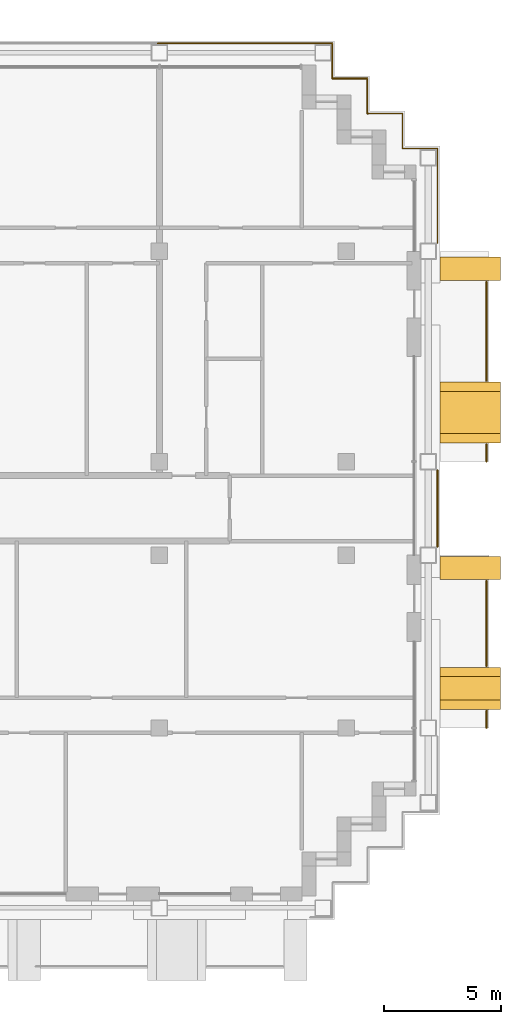
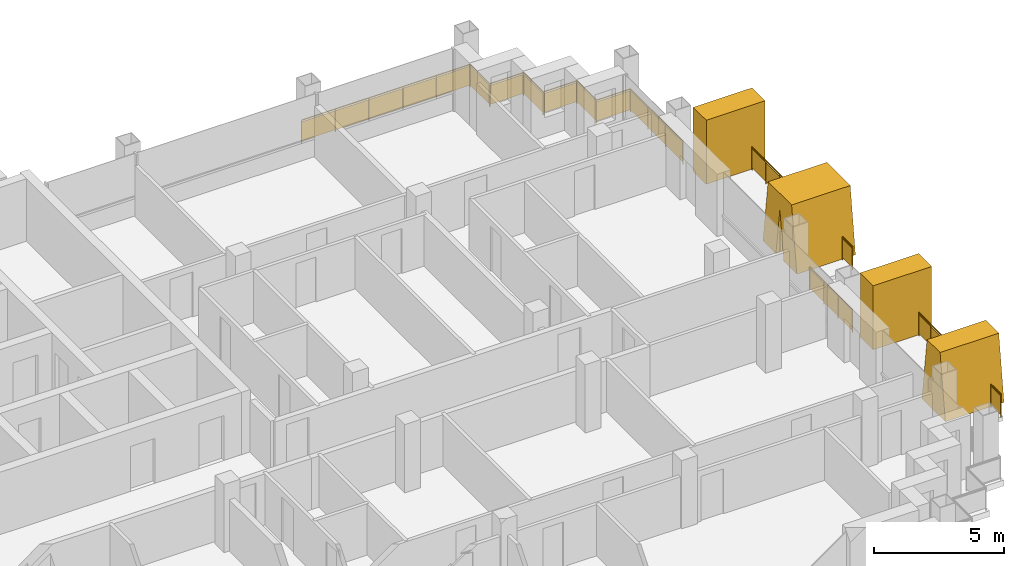
# One storey, part 16 of 16: 7 railings, 4 shading devices.
"""IFC4 building model written with IfcOpenShell, lengths in metres."""

from ifc_helpers import new_model, si_unit, direction, frame, origin, origin_2d, place, context, subcontext, project, spatial, polyline, rectangle, circle, outline, extrude, material, layer, layer_set, type_object, element, save


model = new_model("IFC4")

# Units and contexts
model_context = context("Model", 3, precision=1e-05, world=origin(), true_north=direction((0.0, 1.0)))
body_context = subcontext(model_context, "Body", "Model", "MODEL_VIEW")
ifc_project = project(units=[si_unit("LENGTHUNIT", "METRE"), si_unit("AREAUNIT", "SQUARE_METRE"), si_unit("VOLUMEUNIT", "CUBIC_METRE"), si_unit("PLANEANGLEUNIT", "RADIAN"), si_unit("MASSUNIT", "GRAM", prefix="KILO")], contexts=[model_context])

# Site, building, storey
site_placement = place(None, origin())
site = spatial("IfcSite", under=ifc_project, at=site_placement, CompositionType="ELEMENT")
building_placement = place(site_placement, origin())
building = spatial("IfcBuilding", under=site, at=building_placement, Name="Vidyagriha Tower", CompositionType="ELEMENT")
storey_placement = place(building_placement, frame((0.0, 0.0, 171.699951171875)))
storey = spatial("IfcBuildingStorey", under=building, at=storey_placement, Name="L44", CompositionType="ELEMENT", Elevation=171.699951171875)

# Railings
ifc_material_1 = material(Name="Steel ASTM A500 Grade C black painted", Category="steel")
railing_type_1 = type_object("IfcRailingType", Name="Balcony guard 1100", PredefinedType="BALUSTRADE", material=ifc_material_1)
railing_1_placement = place(storey_placement, frame((40.0, -9.39990234375, 0.0)))
element("IfcRailing", 1, at=railing_1_placement, inside=storey, type_object=railing_type_1, Name="Balcony guard L44 R30.1-1", PredefinedType="BALUSTRADE", context=body_context, shape_type="SweptSolid", body=[
    extrude(circle(Radius=0.02490234375, at=origin_2d()), frame((0.0, 0.0, 1.0751953125), z_axis=(0.0, 1.0, 0.0), x_axis=(-1.0, 0.0, 0.0)), (0.0, 0.0, 1.0), 0.75),
    extrude(circle(Radius=0.02001953125, at=origin_2d()), origin(), (0.0, 0.0, 1.0), 1.050048828125),
    extrude(circle(Radius=0.02001953125, at=origin_2d()), frame((0.0, 0.75, 0.0)), (0.0, 0.0, 1.0), 1.050048828125),
    extrude(rectangle(XDim=0.010009765625, YDim=0.900146484375, at=origin_2d()), frame((0.0, 0.0, 0.550048828125), z_axis=(0.0, 1.0, 0.0), x_axis=(-1.0, 0.0, 0.0)), (0.0, 0.0, 1.0), 0.75),
])
railing_2_placement = place(storey_placement, frame((40.0, -6.75, 0.0)))
element("IfcRailing", 2, at=railing_2_placement, inside=storey, type_object=railing_type_1, Name="Balcony guard L44 R30.1-2", PredefinedType="BALUSTRADE", context=body_context, shape_type="SweptSolid", body=[
    extrude(circle(Radius=0.02490234375, at=origin_2d()), frame((0.0, 0.0, 1.0751953125), z_axis=(0.0, 1.0, 0.0), x_axis=(-1.0, 0.0, 0.0)), (0.0, 0.0, 1.0), 3.64990234375),
    extrude(circle(Radius=0.02001953125, at=origin_2d()), origin(), (0.0, 0.0, 1.0), 1.050048828125),
    extrude(circle(Radius=0.02001953125, at=origin_2d()), frame((0.0, 0.91259765625, 0.0)), (0.0, 0.0, 1.0), 1.050048828125),
    extrude(circle(Radius=0.02001953125, at=origin_2d()), frame((0.0, 1.824951171875, 0.0)), (0.0, 0.0, 1.0), 1.050048828125),
    extrude(circle(Radius=0.02001953125, at=origin_2d()), frame((0.0, 2.7373046875, 0.0)), (0.0, 0.0, 1.0), 1.050048828125),
    extrude(circle(Radius=0.02001953125, at=origin_2d()), frame((0.0, 3.64990234375, 0.0)), (0.0, 0.0, 1.0), 1.050048828125),
    extrude(rectangle(XDim=0.010009765625, YDim=0.900146484375, at=origin_2d()), frame((0.0, 0.0, 0.550048828125), z_axis=(0.0, 1.0, 0.0), x_axis=(-1.0, 0.0, 0.0)), (0.0, 0.0, 1.0), 3.64990234375),
])
railing_3_placement = place(storey_placement, frame((40.0, 2.0, 0.0)))
element("IfcRailing", 3, at=railing_3_placement, inside=storey, type_object=railing_type_1, Name="Balcony guard L44 R30.2-1", PredefinedType="BALUSTRADE", context=body_context, shape_type="SweptSolid", body=[
    extrude(circle(Radius=0.02490234375, at=origin_2d()), frame((0.0, 0.0, 1.0751953125), z_axis=(0.0, 1.0, 0.0), x_axis=(-1.0, 0.0, 0.0)), (0.0, 0.0, 1.0), 0.75),
    extrude(circle(Radius=0.02001953125, at=origin_2d()), origin(), (0.0, 0.0, 1.0), 1.050048828125),
    extrude(circle(Radius=0.02001953125, at=origin_2d()), frame((0.0, 0.75, 0.0)), (0.0, 0.0, 1.0), 1.050048828125),
    extrude(rectangle(XDim=0.010009765625, YDim=0.900146484375, at=origin_2d()), frame((0.0, 0.0, 0.550048828125), z_axis=(0.0, 1.0, 0.0), x_axis=(-1.0, 0.0, 0.0)), (0.0, 0.0, 1.0), 0.75),
])
railing_4_placement = place(storey_placement, frame((40.0, 5.449951171875, 0.0)))
element("IfcRailing", 4, at=railing_4_placement, inside=storey, type_object=railing_type_1, Name="Balcony guard L44 R30.2-2", PredefinedType="BALUSTRADE", context=body_context, shape_type="SweptSolid", body=[
    extrude(circle(Radius=0.02490234375, at=origin_2d()), frame((0.0, 0.0, 1.0751953125), z_axis=(0.0, 1.0, 0.0), x_axis=(-1.0, 0.0, 0.0)), (0.0, 0.0, 1.0), 4.25),
    extrude(circle(Radius=0.02001953125, at=origin_2d()), origin(), (0.0, 0.0, 1.0), 1.050048828125),
    extrude(circle(Radius=0.02001953125, at=origin_2d()), frame((0.0, 1.0625, 0.0)), (0.0, 0.0, 1.0), 1.050048828125),
    extrude(circle(Radius=0.02001953125, at=origin_2d()), frame((0.0, 2.125, 0.0)), (0.0, 0.0, 1.0), 1.050048828125),
    extrude(circle(Radius=0.02001953125, at=origin_2d()), frame((0.0, 3.1875, 0.0)), (0.0, 0.0, 1.0), 1.050048828125),
    extrude(circle(Radius=0.02001953125, at=origin_2d()), frame((0.0, 4.25, 0.0)), (0.0, 0.0, 1.0), 1.050048828125),
    extrude(rectangle(XDim=0.010009765625, YDim=0.900146484375, at=origin_2d()), frame((0.0, 0.0, 0.550048828125), z_axis=(0.0, 1.0, 0.0), x_axis=(-1.0, 0.0, 0.0)), (0.0, 0.0, 1.0), 4.25),
])

# Shading devices
ifc_material_2 = material(Name="Precast concrete C40/50 with buff brick facing", Category="concrete")
ifc_layer_1 = layer(ifc_material_2, 1.0)
ifc_layer_set_1 = layer_set([ifc_layer_1], Name="Precast concrete C40/50 with buff brick facing")
shading_device_type_1 = type_object("IfcShadingDeviceType", Name="Brick-faced blade fin forking 8 degrees", PredefinedType="USERDEFINED", material=ifc_layer_set_1)
shading_device_1_placement = place(storey_placement, frame((39.300048828125, -8.60009765625, 0.0), z_axis=(0.0, 0.0, 1.0), x_axis=(0.0, 1.0, 0.0)))
element("IfcShadingDevice", 5, at=shading_device_1_placement, inside=storey, type_object=shading_device_type_1, Name="Forked blade fin L44 R30.230a", ObjectType="BLADE FIN", PredefinedType="USERDEFINED", context=body_context, shape_type="SweptSolid", body=[
    extrude(outline(polyline([(0.0, 0.0), (1.800048828125, 0.0), (1.39990234375, 3.0), (0.39990234375, 3.0), (0.0, 0.0)])), frame((0.0, 1.300048828125, 0.0), z_axis=(0.0, -1.0, 0.0), x_axis=(1.0, 0.0, 0.0)), (0.0, 0.0, 1.0), 2.60009765625),
])
shading_device_2_placement = place(storey_placement, frame((39.300048828125, 2.800048828125, 0.0), z_axis=(0.0, 0.0, 1.0), x_axis=(0.0, 1.0, 0.0)))
element("IfcShadingDevice", 6, at=shading_device_2_placement, inside=storey, type_object=shading_device_type_1, Name="Forked blade fin L44 R30.1370a", ObjectType="BLADE FIN", PredefinedType="USERDEFINED", context=body_context, shape_type="SweptSolid", body=[
    extrude(outline(polyline([(1.0, 0.0), (1.300048828125, 2.25), (1.60009765625, 0.0), (2.60009765625, 0.0), (2.199951171875, 3.0), (0.39990234375, 3.0), (0.0, 0.0), (1.0, 0.0)])), frame((0.0, 1.300048828125, 0.0), z_axis=(0.0, -1.0, 0.0), x_axis=(1.0, 0.0, 0.0)), (0.0, 0.0, 1.0), 2.60009765625),
])
ifc_material_3 = material(Name="Precast concrete C40/50 with buff brick facing", Category="concrete")
ifc_layer_2 = layer(ifc_material_3, 1.0)
ifc_layer_set_2 = layer_set([ifc_layer_2], Name="Precast concrete C40/50 with buff brick facing")
shading_device_type_2 = type_object("IfcShadingDeviceType", Name="Brick-faced blade fin stem 1000", PredefinedType="USERDEFINED", material=ifc_layer_set_2)
for number, where, z_axis, x_axis, name in (
    (7, (39.300048828125, -3.050048828125, 0.0), (0.0, 0.0, 1.0), (0.0, 1.0, 0.0), "Stem blade fin L44 R30.970a"),
    (8, (39.300048828125, 9.75, 0.0), (0.0, 0.0, 1.0), (0.0, 1.0, 0.0), "Stem blade fin L44 R30.2270a"),
):
    element("IfcShadingDevice", number, at=place(storey_placement, frame(where, z_axis=z_axis, x_axis=x_axis)), inside=storey, type_object=shading_device_type_2, Name=name, ObjectType="BLADE FIN", PredefinedType="USERDEFINED", context=body_context, shape_type="SweptSolid", body=[
        extrude(outline(polyline([(0.0, 0.0), (1.0, 0.0), (1.0, 3.0), (0.0, 3.0), (0.0, 0.0)])), frame((0.0, 1.300048828125, 0.0), z_axis=(0.0, -1.0, 0.0), x_axis=(1.0, 0.0, 0.0)), (0.0, 0.0, 1.0), 2.60009765625),
    ])

# Railings
ifc_material_4 = material(Name="Steel ASTM A500 Grade C black painted", Category="steel")
railing_type_2 = type_object("IfcRailingType", Name="Gallery guard 1100", PredefinedType="GUARDRAIL", material=ifc_material_4)
railing_5_placement = place(storey_placement, frame((25.929931640625, 19.89990234375, 0.0)))
element("IfcRailing", 9, at=railing_5_placement, inside=storey, type_object=railing_type_2, Name="Gallery guard L44 7", PredefinedType="GUARDRAIL", context=body_context, shape_type="SweptSolid", body=[
    extrude(circle(Radius=0.02490234375, at=origin_2d()), frame((0.0, 0.0, 1.0751953125), z_axis=(1.0, 0.0, 0.0), x_axis=(0.0, 1.0, 0.0)), (0.0, 0.0, 1.0), 7.469970703125),
    extrude(circle(Radius=0.02490234375, at=origin_2d()), frame((7.469970703125, 0.0, 1.0751953125), z_axis=(0.0, -1.0, 0.0), x_axis=(1.0, 0.0, 0.0)), (0.0, 0.0, 1.0), 1.5),
    extrude(circle(Radius=0.02490234375, at=origin_2d()), frame((7.469970703125, -1.5, 1.0751953125), z_axis=(1.0, 0.0, 0.0), x_axis=(0.0, 1.0, 0.0)), (0.0, 0.0, 1.0), 1.5),
    extrude(circle(Radius=0.02490234375, at=origin_2d()), frame((8.969970703125, -1.5, 1.0751953125), z_axis=(0.0, -1.0, 0.0), x_axis=(1.0, 0.0, 0.0)), (0.0, 0.0, 1.0), 1.5),
    extrude(circle(Radius=0.02490234375, at=origin_2d()), frame((8.969970703125, -3.0, 1.0751953125), z_axis=(1.0, 0.0, 0.0), x_axis=(0.0, 1.0, 0.0)), (0.0, 0.0, 1.0), 0.030029296875),
    extrude(circle(Radius=0.02001953125, at=origin_2d()), origin(), (0.0, 0.0, 1.0), 1.050048828125),
    extrude(circle(Radius=0.02001953125, at=origin_2d()), frame((1.493896484375, 0.0, 0.0)), (0.0, 0.0, 1.0), 1.050048828125),
    extrude(circle(Radius=0.02001953125, at=origin_2d()), frame((2.988037109375, 0.0, 0.0)), (0.0, 0.0, 1.0), 1.050048828125),
    extrude(circle(Radius=0.02001953125, at=origin_2d()), frame((4.48193359375, 0.0, 0.0)), (0.0, 0.0, 1.0), 1.050048828125),
    extrude(circle(Radius=0.02001953125, at=origin_2d()), frame((5.97607421875, 0.0, 0.0)), (0.0, 0.0, 1.0), 1.050048828125),
    extrude(circle(Radius=0.02001953125, at=origin_2d()), frame((7.469970703125, 0.0, 0.0)), (0.0, 0.0, 1.0), 1.050048828125),
    extrude(circle(Radius=0.02001953125, at=origin_2d()), frame((7.469970703125, -1.5, 0.0)), (0.0, 0.0, 1.0), 1.050048828125),
    extrude(circle(Radius=0.02001953125, at=origin_2d()), frame((8.969970703125, -1.5, 0.0)), (0.0, 0.0, 1.0), 1.050048828125),
    extrude(circle(Radius=0.02001953125, at=origin_2d()), frame((8.969970703125, -3.0, 0.0)), (0.0, 0.0, 1.0), 1.050048828125),
    extrude(circle(Radius=0.02001953125, at=origin_2d()), frame((9.0, -3.0, 0.0)), (0.0, 0.0, 1.0), 1.050048828125),
    extrude(rectangle(XDim=0.010009765625, YDim=0.900146484375, at=origin_2d()), frame((0.0, 0.0, 0.550048828125), z_axis=(1.0, 0.0, 0.0), x_axis=(0.0, 1.0, 0.0)), (0.0, 0.0, 1.0), 7.469970703125),
    extrude(rectangle(XDim=0.010009765625, YDim=0.900146484375, at=origin_2d()), frame((7.469970703125, 0.0, 0.550048828125), z_axis=(0.0, -1.0, 0.0), x_axis=(1.0, 0.0, 0.0)), (0.0, 0.0, 1.0), 1.5),
    extrude(rectangle(XDim=0.010009765625, YDim=0.900146484375, at=origin_2d()), frame((7.469970703125, -1.5, 0.550048828125), z_axis=(1.0, 0.0, 0.0), x_axis=(0.0, 1.0, 0.0)), (0.0, 0.0, 1.0), 1.5),
    extrude(rectangle(XDim=0.010009765625, YDim=0.900146484375, at=origin_2d()), frame((8.969970703125, -1.5, 0.550048828125), z_axis=(0.0, -1.0, 0.0), x_axis=(1.0, 0.0, 0.0)), (0.0, 0.0, 1.0), 1.5),
    extrude(rectangle(XDim=0.010009765625, YDim=0.900146484375, at=origin_2d()), frame((8.969970703125, -3.0, 0.550048828125), z_axis=(1.0, 0.0, 0.0), x_axis=(0.0, 1.0, 0.0)), (0.0, 0.0, 1.0), 0.030029296875),
])
railing_6_placement = place(storey_placement, frame((34.929931640625, 16.89990234375, 0.0)))
element("IfcRailing", 10, at=railing_6_placement, inside=storey, type_object=railing_type_2, Name="Gallery guard L44 8", PredefinedType="GUARDRAIL", context=body_context, shape_type="SweptSolid", body=[
    extrude(circle(Radius=0.02490234375, at=origin_2d()), frame((0.0, 0.0, 1.0751953125), z_axis=(1.0, 0.0, 0.0), x_axis=(0.0, 1.0, 0.0)), (0.0, 0.0, 1.0), 1.469970703125),
    extrude(circle(Radius=0.02490234375, at=origin_2d()), frame((1.469970703125, 0.0, 1.0751953125), z_axis=(0.0, -1.0, 0.0), x_axis=(1.0, 0.0, 0.0)), (0.0, 0.0, 1.0), 1.5),
    extrude(circle(Radius=0.02490234375, at=origin_2d()), frame((1.469970703125, -1.5, 1.0751953125), z_axis=(1.0, 0.0, 0.0), x_axis=(0.0, 1.0, 0.0)), (0.0, 0.0, 1.0), 1.5),
    extrude(circle(Radius=0.02490234375, at=origin_2d()), frame((2.969970703125, -1.5, 1.0751953125), z_axis=(0.0, -1.0, 0.0), x_axis=(1.0, 0.0, 0.0)), (0.0, 0.0, 1.0), 4.039794921875),
    extrude(circle(Radius=0.02001953125, at=origin_2d()), origin(), (0.0, 0.0, 1.0), 1.050048828125),
    extrude(circle(Radius=0.02001953125, at=origin_2d()), frame((1.469970703125, 0.0, 0.0)), (0.0, 0.0, 1.0), 1.050048828125),
    extrude(circle(Radius=0.02001953125, at=origin_2d()), frame((1.469970703125, -1.5, 0.0)), (0.0, 0.0, 1.0), 1.050048828125),
    extrude(circle(Radius=0.02001953125, at=origin_2d()), frame((2.969970703125, -1.5, 0.0)), (0.0, 0.0, 1.0), 1.050048828125),
    extrude(circle(Radius=0.02001953125, at=origin_2d()), frame((2.969970703125, -2.8466796875, 0.0)), (0.0, 0.0, 1.0), 1.050048828125),
    extrude(circle(Radius=0.02001953125, at=origin_2d()), frame((2.969970703125, -4.193115234375, 0.0)), (0.0, 0.0, 1.0), 1.050048828125),
    extrude(circle(Radius=0.02001953125, at=origin_2d()), frame((2.969970703125, -5.539794921875, 0.0)), (0.0, 0.0, 1.0), 1.050048828125),
    extrude(rectangle(XDim=0.010009765625, YDim=0.900146484375, at=origin_2d()), frame((0.0, 0.0, 0.550048828125), z_axis=(1.0, 0.0, 0.0), x_axis=(0.0, 1.0, 0.0)), (0.0, 0.0, 1.0), 1.469970703125),
    extrude(rectangle(XDim=0.010009765625, YDim=0.900146484375, at=origin_2d()), frame((1.469970703125, 0.0, 0.550048828125), z_axis=(0.0, -1.0, 0.0), x_axis=(1.0, 0.0, 0.0)), (0.0, 0.0, 1.0), 1.5),
    extrude(rectangle(XDim=0.010009765625, YDim=0.900146484375, at=origin_2d()), frame((1.469970703125, -1.5, 0.550048828125), z_axis=(1.0, 0.0, 0.0), x_axis=(0.0, 1.0, 0.0)), (0.0, 0.0, 1.0), 1.5),
    extrude(rectangle(XDim=0.010009765625, YDim=0.900146484375, at=origin_2d()), frame((2.969970703125, -1.5, 0.550048828125), z_axis=(0.0, -1.0, 0.0), x_axis=(1.0, 0.0, 0.0)), (0.0, 0.0, 1.0), 4.039794921875),
])
railing_7_placement = place(storey_placement, frame((37.89990234375, 1.639892578125, 0.0)))
element("IfcRailing", 11, at=railing_7_placement, inside=storey, type_object=railing_type_2, Name="Gallery guard L44 11", PredefinedType="GUARDRAIL", context=body_context, shape_type="SweptSolid", body=[
    extrude(circle(Radius=0.02490234375, at=origin_2d()), frame((0.0, 0.0, 1.0751953125), z_axis=(0.0, -1.0, 0.0), x_axis=(1.0, 0.0, 0.0)), (0.0, 0.0, 1.0), 3.27978515625),
    extrude(circle(Radius=0.02001953125, at=origin_2d()), origin(), (0.0, 0.0, 1.0), 1.050048828125),
    extrude(circle(Radius=0.02001953125, at=origin_2d()), frame((0.0, -1.09326171875, 0.0)), (0.0, 0.0, 1.0), 1.050048828125),
    extrude(circle(Radius=0.02001953125, at=origin_2d()), frame((0.0, -2.1865234375, 0.0)), (0.0, 0.0, 1.0), 1.050048828125),
    extrude(circle(Radius=0.02001953125, at=origin_2d()), frame((0.0, -3.27978515625, 0.0)), (0.0, 0.0, 1.0), 1.050048828125),
    extrude(rectangle(XDim=0.010009765625, YDim=0.900146484375, at=origin_2d()), frame((0.0, 0.0, 0.550048828125), z_axis=(0.0, -1.0, 0.0), x_axis=(1.0, 0.0, 0.0)), (0.0, 0.0, 1.0), 3.27978515625),
])

save(model, "model.ifc")
